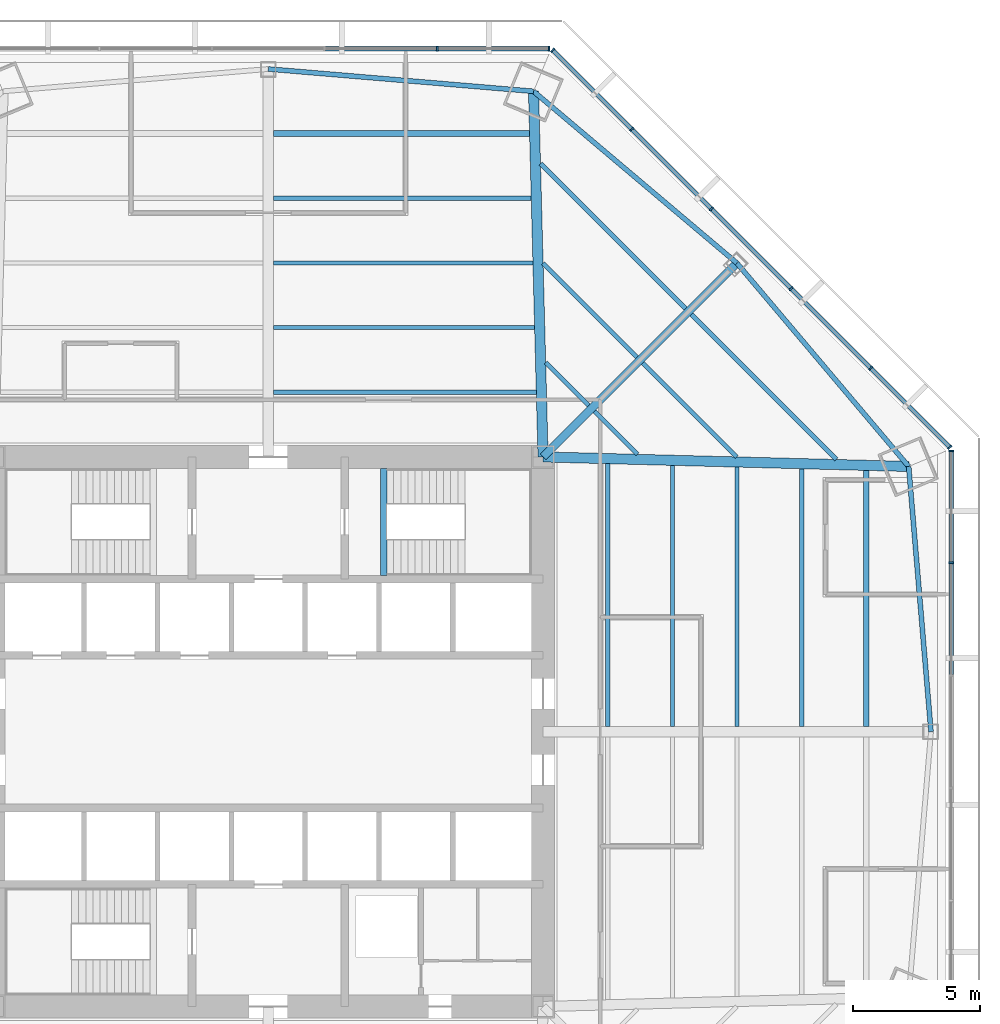
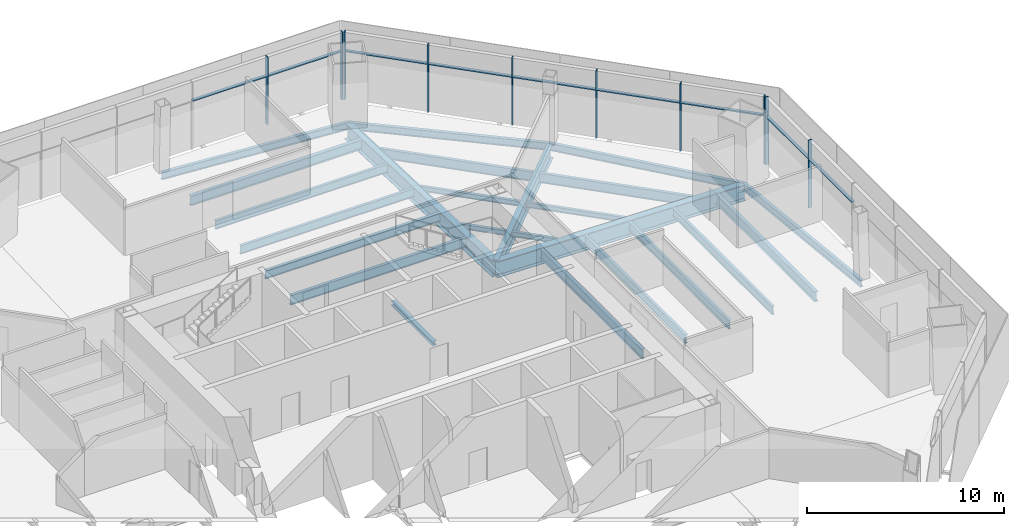
# One storey, part 5 of 14: 24 beams, 19 members, 3 elements without a shape of their own.
"""IFC4 building model written with IfcOpenShell, lengths in metres."""

import ifcopenshell
import ifcopenshell.guid

model = None  # the IFC model being written
_history = None  # IfcOwnerHistory: only IFC2X3 demands one
_inside = {}  # id of a spatial element -> (the spatial element, [elements in it])
_under = {}  # id of a project, library or spatial element -> (it, [spatial elements below it])
_declared = {}  # id of a project -> (the project, [libraries it declares])
_typed = {}  # id of a type object -> (the type object, [elements of that type])
_made_of = {}  # id of a material, layer set ... -> (it, [elements and type objects made of it])


def new_model(schema):
    """Start an empty IFC model of exactly this schema.

    Asked for "IFC4X3", IfcOpenShell would pick the latest addendum, in which some entities
    have other attributes; the version numbers below select the first issue.
    IFC2X3 requires an IfcOwnerHistory on every rooted entity: one is made here for all.
    """
    global model, _history
    if schema == "IFC4X3":
        model = ifcopenshell.file(schema_version=(4, 3, 0, 0))
    else:
        model = ifcopenshell.file(schema=schema)
    _inside.clear()
    _under.clear()
    _declared.clear()
    _typed.clear()
    _made_of.clear()
    _history = None
    if model.schema == "IFC2X3":
        org = make("IfcOrganization", Name="unknown")
        user = make(
            "IfcPersonAndOrganization",
            ThePerson=make("IfcPerson", FamilyName="unknown"),
            TheOrganization=org,
        )
        app = make(
            "IfcApplication",
            ApplicationDeveloper=org,
            Version="unknown",
            ApplicationFullName="unknown",
            ApplicationIdentifier="unknown",
        )
        _history = make(
            "IfcOwnerHistory",
            OwningUser=user,
            OwningApplication=app,
            ChangeAction="ADDED",
            CreationDate=0,
        )
    return model


def make(cls, **values):
    """One entity of the class cls with the attributes given. An attribute that is None is left unset."""
    return model.create_entity(
        cls, **{name: value for name, value in values.items() if value is not None}
    )


def rooted(cls, **values):
    """An entity with a GlobalId (a new one), such as an element, a storey or a relation."""
    return make(cls, GlobalId=ifcopenshell.guid.new(), OwnerHistory=_history, **values)


def si_unit(unit_type, name, prefix=None):
    """IfcSIUnit, for example si_unit("LENGTHUNIT", "METRE", prefix="MILLI")."""
    return make("IfcSIUnit", UnitType=unit_type, Prefix=prefix, Name=name)


def assignment(units):
    """IfcUnitAssignment: the units of a project."""
    return None if units is None else make("IfcUnitAssignment", Units=units)


def point(xyz):
    """IfcCartesianPoint."""
    return None if xyz is None else make("IfcCartesianPoint", Coordinates=xyz)


def direction(xyz):
    """IfcDirection."""
    return None if xyz is None else make("IfcDirection", DirectionRatios=xyz)


def frame(location, z_axis=None, x_axis=None):
    """IfcAxis2Placement3D, a coordinate frame: its origin and axes. An axis left out is left unset."""
    return make(
        "IfcAxis2Placement3D",
        Location=point(location),
        Axis=direction(z_axis),
        RefDirection=direction(x_axis),
    )


def frame_2d(location, x_axis=None):
    """IfcAxis2Placement2D, a coordinate frame in the plane: its origin and x axis."""
    return make(
        "IfcAxis2Placement2D", Location=point(location), RefDirection=direction(x_axis)
    )


def origin():
    """The frame at (0, 0, 0) with its axes left unset."""
    return frame((0.0, 0.0, 0.0))


def origin_2d():
    """The frame at (0, 0) in the plane with its x axis left unset."""
    return frame_2d((0.0, 0.0))


def place(relative_to, where):
    """IfcLocalPlacement: puts the frame where relative to a parent placement (None: the world)."""
    return make(
        "IfcLocalPlacement", PlacementRelTo=relative_to, RelativePlacement=where
    )


def context(
    kind, dimensions, precision=None, world=None, true_north=None, identifier=None
):
    """IfcGeometricRepresentationContext, for example the 3D "Model" context."""
    return make(
        "IfcGeometricRepresentationContext",
        ContextIdentifier=identifier,
        ContextType=kind,
        CoordinateSpaceDimension=dimensions,
        Precision=precision,
        WorldCoordinateSystem=world,
        TrueNorth=true_north,
    )


def subcontext(parent, identifier, kind, view, scale=None):
    """IfcGeometricRepresentationSubContext, for example "Body" below "Model"."""
    return make(
        "IfcGeometricRepresentationSubContext",
        ContextIdentifier=identifier,
        ContextType=kind,
        ParentContext=parent,
        TargetScale=scale,
        TargetView=view,
    )


def project(units=None, contexts=None):
    """IfcProject with its units and contexts."""
    return rooted(
        "IfcProject",
        Name="project",
        RepresentationContexts=contexts,
        UnitsInContext=assignment(units),
    )


def spatial(cls, under=None, at=None, **own):
    """A site, building, storey or space (cls), placed at a placement, below another one or the project."""
    s = rooted(cls, ObjectPlacement=at, **own)
    if under is not None:
        _under.setdefault(under.id(), (under, []))[1].append(s)
    return s


def profile(cls, at=None, kind="AREA", **sizes):
    """A parametric profile (cls). Its sizes go by their IFC names, for example OverallWidth=200.0."""
    return make(cls, ProfileType=kind, Position=at, **sizes)


def rectangle(**sizes):
    """IfcRectangleProfileDef."""
    return profile("IfcRectangleProfileDef", **sizes)


def i_section(**sizes):
    """IfcIShapeProfileDef."""
    return profile("IfcIShapeProfileDef", **sizes)


def extrude(swept, where, along, depth):
    """IfcExtrudedAreaSolid: the profile swept, set in the frame where, extruded along a direction by depth."""
    return make(
        "IfcExtrudedAreaSolid",
        SweptArea=swept,
        Position=where,
        ExtrudedDirection=direction(along),
        Depth=depth,
    )


def shape(context_of_items, identifier, shape_type, items):
    """IfcShapeRepresentation: the items that make up one representation, for example the "Body"."""
    return make(
        "IfcShapeRepresentation",
        ContextOfItems=context_of_items,
        RepresentationIdentifier=identifier,
        RepresentationType=shape_type,
        Items=items,
    )


def source(mapping_origin, context_of_items, identifier, shape_type, items):
    """IfcRepresentationMap: a shape defined once, which mapped items show again and again."""
    return make(
        "IfcRepresentationMap",
        MappingOrigin=mapping_origin,
        MappedRepresentation=shape(context_of_items, identifier, shape_type, items),
    )


def transform(
    local_origin,
    x_axis=None,
    y_axis=None,
    z_axis=None,
    scale=None,
    scale2=None,
    scale3=None,
    uniform=True,
):
    """IfcCartesianTransformationOperator3D, or its non-uniform kind. x_axis, y_axis, z_axis: its Axis1, 2, 3."""
    if uniform:
        return make(
            "IfcCartesianTransformationOperator3D",
            Axis1=direction(x_axis),
            Axis2=direction(y_axis),
            LocalOrigin=point(local_origin),
            Scale=scale,
            Axis3=direction(z_axis),
        )
    return make(
        "IfcCartesianTransformationOperator3DnonUniform",
        Axis1=direction(x_axis),
        Axis2=direction(y_axis),
        LocalOrigin=point(local_origin),
        Scale=scale,
        Axis3=direction(z_axis),
        Scale2=scale2,
        Scale3=scale3,
    )


def mapped(mapping_source, mapping_target):
    """IfcMappedItem: shows the shape of a source again, moved by a transform."""
    return make(
        "IfcMappedItem", MappingSource=mapping_source, MappingTarget=mapping_target
    )


def material(Name=None, Category=None):
    """IfcMaterial."""
    return make("IfcMaterial", Name=Name, Category=Category)


def material_profile(
    of_material, cross_section, Name=None, Category=None, Priority=None
):
    """IfcMaterialProfile: a cross section and its material."""
    return make(
        "IfcMaterialProfile",
        Name=Name,
        Material=of_material,
        Profile=cross_section,
        Priority=Priority,
        Category=Category,
    )


def profile_set(profiles, Name=None, composite=None):
    """IfcMaterialProfileSet."""
    return make(
        "IfcMaterialProfileSet",
        Name=Name,
        MaterialProfiles=profiles,
        CompositeProfile=composite,
    )


def made_of(thing, what):
    """Note that an element or type object is made of a material, layer set ...; save() writes the relation."""
    if what is not None:
        _made_of.setdefault(what.id(), (what, []))[1].append(thing)
    return thing


def type_object(cls, material=None, **own):
    """A type object (cls), such as IfcWallType, which elements share."""
    return made_of(rooted(cls, **own), material)


def type_shapes(of_type, sources):
    """Give a type object the sources (RepresentationMaps) that its elements show as mapped items."""
    of_type.RepresentationMaps = sources


def element(
    cls,
    number,
    at=None,
    inside=None,
    cuts=None,
    type_object=None,
    material=None,
    context=None,
    identifier="Body",
    shape_type=None,
    held_by="IfcProductDefinitionShape",
    body=None,
    shapes=None,
    **own,
):
    """One element of the class cls, such as IfcWall. Its Tag is "e" and its number.

    at: its placement. inside: the storey or other place that contains it. cuts: it is an
    opening in that element (IfcRelVoidsElement). A single representation is given by context,
    identifier, shape_type and body (its items); several are given by shapes. held_by: the class
    of the entity that holds the representations. save() writes the other relations.
    """
    e = rooted(cls, Tag="e%d" % number, ObjectPlacement=at, **own)
    if body is not None:
        shapes = [shape(context, identifier, shape_type, body)]
    if shapes is not None:
        e.Representation = make(held_by, Representations=shapes)
    if inside is not None:
        _inside.setdefault(inside.id(), (inside, []))[1].append(e)
    if cuts is not None:
        rooted(
            "IfcRelVoidsElement", RelatingBuildingElement=cuts, RelatedOpeningElement=e
        )
    if type_object is not None:
        _typed.setdefault(type_object.id(), (type_object, []))[1].append(e)
    return made_of(e, material)


def aggregate(whole, parts):
    """IfcRelAggregates: a whole, such as a stair, and the parts it consists of."""
    return rooted("IfcRelAggregates", RelatingObject=whole, RelatedObjects=parts)


def save(model, path):
    """Write the relations noted so far, then the file.

    IfcRelAggregates (storeys below a building ...), IfcRelContainedInSpatialStructure (elements
    in a storey), IfcRelDefinesByType, IfcRelAssociatesMaterial and IfcRelDeclares: one each for
    every whole, place, type object, material and project.
    """
    for whole, parts in _under.values():
        aggregate(whole, parts)
    for where, things in _inside.values():
        rooted(
            "IfcRelContainedInSpatialStructure",
            RelatedElements=things,
            RelatingStructure=where,
        )
    for kind, things in _typed.values():
        rooted("IfcRelDefinesByType", RelatedObjects=things, RelatingType=kind)
    for what, things in _made_of.values():
        rooted("IfcRelAssociatesMaterial", RelatedObjects=things, RelatingMaterial=what)
    for by, libraries in _declared.values():
        rooted("IfcRelDeclares", RelatingContext=by, RelatedDefinitions=libraries)
    model.write(path)


model = new_model("IFC4")

# Units and contexts
model_context = context("Model", 3, precision=1e-05, world=origin(), true_north=direction((0.0, 1.0)))
body_context = subcontext(model_context, "Body", "Model", "MODEL_VIEW")
ifc_project = project(units=[si_unit("LENGTHUNIT", "METRE"), si_unit("AREAUNIT", "SQUARE_METRE"), si_unit("VOLUMEUNIT", "CUBIC_METRE"), si_unit("PLANEANGLEUNIT", "RADIAN"), si_unit("MASSUNIT", "GRAM", prefix="KILO")], contexts=[model_context])

# Site, building, storey
site_placement = place(None, origin())
site = spatial("IfcSite", under=ifc_project, at=site_placement, CompositionType="ELEMENT")
building_placement = place(site_placement, origin())
building = spatial("IfcBuilding", under=site, at=building_placement, Name="Mashrafa Tower", CompositionType="ELEMENT")
storey_placement = place(building_placement, frame((0.0, 0.0, 41.39990234375)))
storey = spatial("IfcBuildingStorey", under=building, at=storey_placement, Name="L08", CompositionType="ELEMENT", Elevation=41.39990234375)

# Beams
ifc_material_1 = material(Name="Steel ASTM A992", Category="steel")
ifc_material_profile_1 = material_profile(ifc_material_1, i_section(OverallWidth=0.164794921875, OverallDepth=0.309814453125, WebThickness=0.005859375, FlangeThickness=0.009765625, FilletRadius=0.007568359375, at=origin_2d()), Name="W12X26")
ifc_profile_set_1 = profile_set([ifc_material_profile_1], Name="Steel ASTM A992")
beam_type_1 = type_object("IfcBeamType", Name="Beam W12X26", PredefinedType="BEAM", material=ifc_profile_set_1)
beam_1_placement = place(storey_placement, frame((10.802490234375, 18.41650390625, -0.31982421875), z_axis=(0.707106781187, -0.707106781187, 0.0), x_axis=(0.707106781187, 0.707106781187, 0.0)))
element("IfcBeam", 1, at=beam_1_placement, inside=storey, type_object=beam_type_1, Name="Floor beam L08 041", PredefinedType="BEAM", context=body_context, shape_type="SweptSolid", body=[
    extrude(i_section(OverallWidth=0.164794921875, OverallDepth=0.309814453125, WebThickness=0.005859375, FlangeThickness=0.009765625, FilletRadius=0.007568359375, at=origin_2d()), origin(), (0.0, 0.0, 1.0), 5.230224609375),
])
for number, where, z_axis, x_axis, name in (
    (2, (10.904296875, 14.505126953125, -0.31982421875), (0.707106781187, -0.707106781187, 0.0), (0.707106781187, 0.707106781187, 0.0), "Floor beam L08 044"),
    (3, (12.8134765625, 12.595947265625, -0.31982421875), (0.707106781187, -0.707106781187, 0.0), (0.707106781187, 0.707106781187, 0.0), "Floor beam L08 047"),
):
    element("IfcBeam", number, at=place(storey_placement, frame(where, z_axis=z_axis, x_axis=x_axis)), inside=storey, type_object=beam_type_1, Name=name, PredefinedType="BEAM", context=body_context, shape_type="SweptSolid", body=[
        extrude(i_section(OverallWidth=0.164794921875, OverallDepth=0.309814453125, WebThickness=0.005859375, FlangeThickness=0.009765625, FilletRadius=0.007568359375, at=origin_2d()), origin(), (0.0, 0.0, 1.0), 2.392333984375),
    ])
beam_2_placement = place(storey_placement, frame((14.71826171875, 14.500732421875, -0.31982421875), z_axis=(0.707106781187, -0.707106781187, 0.0), x_axis=(0.707106781187, 0.707106781187, 0.0)))
element("IfcBeam", 4, at=beam_2_placement, inside=storey, type_object=beam_type_1, Name="Floor beam L08 051", PredefinedType="BEAM", context=body_context, shape_type="SweptSolid", body=[
    extrude(i_section(OverallWidth=0.164794921875, OverallDepth=0.309814453125, WebThickness=0.005859375, FlangeThickness=0.009765625, FilletRadius=0.007568359375, at=origin_2d()), origin(), (0.0, 0.0, 1.0), 5.230224609375),
])
ifc_material_2 = material(Name="Steel ASTM A992", Category="steel")
ifc_material_profile_2 = material_profile(ifc_material_2, i_section(OverallWidth=0.191162109375, OverallDepth=0.459716796875, WebThickness=0.010009765625, FlangeThickness=0.01611328125, FilletRadius=0.01025390625, at=origin_2d()), Name="W18X55")
ifc_profile_set_2 = profile_set([ifc_material_profile_2], Name="Steel ASTM A992")
beam_type_2 = type_object("IfcBeamType", Name="Beam W18X55", PredefinedType="BEAM", material=ifc_profile_set_2)
for number, where, z_axis, x_axis, name in (
    (5, (10.42578125, 25.169921875, -0.394775390625), (-0.996471336018, 0.083933762543, 0.0), (-0.083933762543, -0.996471336018, 0.0), "Spandrel beam L08 091"),
    (6, (18.4189453125, 18.4189453125, -0.394775390625), (-0.763973678592, 0.645247408688, 0.0), (-0.645247408688, -0.763973678592, 0.0), "Spandrel beam L08 093"),
    (7, (25.169921875, 10.42578125, -0.394775390625), (-0.645247408688, 0.763973678592, 0.0), (-0.763973678592, -0.645247408688, 0.0), "Spandrel beam L08 095"),
    (8, (26.048095703125, 0.0, -0.394775390625), (-0.083933762543, 0.996471336018, 0.0), (-0.996471336018, -0.083933762543, 0.0), "Spandrel beam L08 096"),
):
    element("IfcBeam", number, at=place(storey_placement, frame(where, z_axis=z_axis, x_axis=x_axis)), inside=storey, type_object=beam_type_2, Name=name, PredefinedType="BEAM", context=body_context, shape_type="SweptSolid", body=[
        extrude(i_section(OverallWidth=0.191162109375, OverallDepth=0.459716796875, WebThickness=0.010009765625, FlangeThickness=0.01611328125, FilletRadius=0.01025390625, at=origin_2d()), origin(), (0.0, 0.0, 1.0), 10.462646484375),
    ])
ifc_material_3 = material(Name="Steel ASTM A992", Category="steel")
ifc_material_profile_3 = material_profile(ifc_material_3, i_section(OverallWidth=0.165771484375, OverallDepth=0.5283203125, WebThickness=0.009765625, FlangeThickness=0.013671875, FilletRadius=0.012939453125, at=origin_2d()), Name="W21X50")
ifc_profile_set_3 = profile_set([ifc_material_profile_3], Name="Steel ASTM A992")
beam_type_3 = type_object("IfcBeamType", Name="Beam W21X50", PredefinedType="BEAM", material=ifc_profile_set_3)
beam_3_placement = place(storey_placement, frame((0.20458984375, 15.8828125, -0.428955078125), z_axis=(1.0, 0.0, 0.0), x_axis=(0.0, 1.0, 0.0)))
element("IfcBeam", 9, at=beam_3_placement, inside=storey, type_object=beam_type_3, Name="Floor beam L08 034", PredefinedType="BEAM", context=body_context, shape_type="SweptSolid", body=[
    extrude(i_section(OverallWidth=0.165771484375, OverallDepth=0.5283203125, WebThickness=0.009765625, FlangeThickness=0.013671875, FilletRadius=0.012939453125, at=origin_2d()), origin(), (0.0, 0.0, 1.0), 10.26220703125),
])
beam_4_placement = place(storey_placement, frame((0.20458984375, 18.424072265625, -0.428955078125), z_axis=(1.0, 0.0, 0.0), x_axis=(0.0, 1.0, 0.0)))
element("IfcBeam", 10, at=beam_4_placement, inside=storey, type_object=beam_type_3, Name="Floor beam L08 035", PredefinedType="BEAM", context=body_context, shape_type="SweptSolid", body=[
    extrude(i_section(OverallWidth=0.165771484375, OverallDepth=0.5283203125, WebThickness=0.009765625, FlangeThickness=0.013671875, FilletRadius=0.012939453125, at=origin_2d()), origin(), (0.0, 0.0, 1.0), 10.1962890625),
])
beam_5_placement = place(storey_placement, frame((0.20458984375, 20.965576171875, -0.428955078125), z_axis=(1.0, 0.0, 0.0), x_axis=(0.0, 1.0, 0.0)))
element("IfcBeam", 11, at=beam_5_placement, inside=storey, type_object=beam_type_3, Name="Floor beam L08 036", PredefinedType="BEAM", context=body_context, shape_type="SweptSolid", body=[
    extrude(i_section(OverallWidth=0.165771484375, OverallDepth=0.5283203125, WebThickness=0.009765625, FlangeThickness=0.013671875, FilletRadius=0.012939453125, at=origin_2d()), origin(), (0.0, 0.0, 1.0), 10.130126953125),
])
beam_6_placement = place(storey_placement, frame((15.8828125, 10.466796875, -0.428955078125), z_axis=(0.0, -1.0, 0.0), x_axis=(1.0, 0.0, 0.0)))
element("IfcBeam", 12, at=beam_6_placement, inside=storey, type_object=beam_type_3, Name="Floor beam L08 054", PredefinedType="BEAM", context=body_context, shape_type="SweptSolid", body=[
    extrude(i_section(OverallWidth=0.165771484375, OverallDepth=0.5283203125, WebThickness=0.009765625, FlangeThickness=0.013671875, FilletRadius=0.012939453125, at=origin_2d()), origin(), (0.0, 0.0, 1.0), 10.26220703125),
])
beam_7_placement = place(storey_placement, frame((18.424072265625, 10.40087890625, -0.428955078125), z_axis=(0.0, -1.0, 0.0), x_axis=(1.0, 0.0, 0.0)))
element("IfcBeam", 13, at=beam_7_placement, inside=storey, type_object=beam_type_3, Name="Floor beam L08 058", PredefinedType="BEAM", context=body_context, shape_type="SweptSolid", body=[
    extrude(i_section(OverallWidth=0.165771484375, OverallDepth=0.5283203125, WebThickness=0.009765625, FlangeThickness=0.013671875, FilletRadius=0.012939453125, at=origin_2d()), origin(), (0.0, 0.0, 1.0), 10.1962890625),
])
beam_8_placement = place(storey_placement, frame((20.965576171875, 10.334716796875, -0.428955078125), z_axis=(0.0, -1.0, 0.0), x_axis=(1.0, 0.0, 0.0)))
element("IfcBeam", 14, at=beam_8_placement, inside=storey, type_object=beam_type_3, Name="Floor beam L08 061", PredefinedType="BEAM", context=body_context, shape_type="SweptSolid", body=[
    extrude(i_section(OverallWidth=0.165771484375, OverallDepth=0.5283203125, WebThickness=0.009765625, FlangeThickness=0.013671875, FilletRadius=0.012939453125, at=origin_2d()), origin(), (0.0, 0.0, 1.0), 10.130126953125),
])
ifc_material_4 = material(Name="Steel ASTM A992", Category="steel")
ifc_material_profile_4 = material_profile(ifc_material_4, i_section(OverallWidth=0.177978515625, OverallDepth=0.599365234375, WebThickness=0.010009765625, FlangeThickness=0.012939453125, FilletRadius=0.012939453125, at=origin_2d()), Name="W24X55")
ifc_profile_set_4 = profile_set([ifc_material_profile_4], Name="Steel ASTM A992")
beam_type_4 = type_object("IfcBeamType", Name="Beam W24X55", PredefinedType="BEAM", material=ifc_profile_set_4)
beam_9_placement = place(storey_placement, frame((0.20458984375, 13.34130859375, -0.464599609375), z_axis=(1.0, 0.0, 0.0), x_axis=(0.0, 1.0, 0.0)))
element("IfcBeam", 15, at=beam_9_placement, inside=storey, type_object=beam_type_4, Name="Floor beam L08 033", PredefinedType="BEAM", context=body_context, shape_type="SweptSolid", body=[
    extrude(i_section(OverallWidth=0.177978515625, OverallDepth=0.599365234375, WebThickness=0.010009765625, FlangeThickness=0.012939453125, FilletRadius=0.012939453125, at=origin_2d()), origin(), (0.0, 0.0, 1.0), 10.32861328125),
])
beam_10_placement = place(storey_placement, frame((10.700439453125, 22.327880859375, -0.464599609375), z_axis=(0.707106781187, -0.707106781187, 0.0), x_axis=(0.707106781187, 0.707106781187, 0.0)))
element("IfcBeam", 16, at=beam_10_placement, inside=storey, type_object=beam_type_4, Name="Floor beam L08 039", PredefinedType="BEAM", context=body_context, shape_type="SweptSolid", body=[
    extrude(i_section(OverallWidth=0.177978515625, OverallDepth=0.599365234375, WebThickness=0.010009765625, FlangeThickness=0.012939453125, FilletRadius=0.012939453125, at=origin_2d()), origin(), (0.0, 0.0, 1.0), 8.068115234375),
])
beam_11_placement = place(storey_placement, frame((13.34130859375, 10.533203125, -0.464599609375), z_axis=(0.0, -1.0, 0.0), x_axis=(1.0, 0.0, 0.0)))
element("IfcBeam", 17, at=beam_11_placement, inside=storey, type_object=beam_type_4, Name="Floor beam L08 049", PredefinedType="BEAM", context=body_context, shape_type="SweptSolid", body=[
    extrude(i_section(OverallWidth=0.177978515625, OverallDepth=0.599365234375, WebThickness=0.010009765625, FlangeThickness=0.012939453125, FilletRadius=0.012939453125, at=origin_2d()), origin(), (0.0, 0.0, 1.0), 10.32861328125),
])
beam_12_placement = place(storey_placement, frame((16.622802734375, 16.405517578125, -0.464599609375), z_axis=(0.707106781187, -0.707106781187, 0.0), x_axis=(0.707106781187, 0.707106781187, 0.0)))
element("IfcBeam", 18, at=beam_12_placement, inside=storey, type_object=beam_type_4, Name="Floor beam L08 056", PredefinedType="BEAM", context=body_context, shape_type="SweptSolid", body=[
    extrude(i_section(OverallWidth=0.177978515625, OverallDepth=0.599365234375, WebThickness=0.010009765625, FlangeThickness=0.012939453125, FilletRadius=0.012939453125, at=origin_2d()), origin(), (0.0, 0.0, 1.0), 8.068115234375),
])
ifc_material_5 = material(Name="Steel ASTM A992", Category="steel")
ifc_material_profile_5 = material_profile(ifc_material_5, i_section(OverallWidth=0.227783203125, OverallDepth=0.60205078125, WebThickness=0.010498046875, FlangeThickness=0.014892578125, FilletRadius=0.012939453125, at=origin_2d()), Name="W24X68")
ifc_profile_set_5 = profile_set([ifc_material_profile_5], Name="Steel ASTM A992")
beam_type_5 = type_object("IfcBeamType", Name="Beam W24X68", PredefinedType="BEAM", material=ifc_profile_set_5)
for number, where, z_axis, x_axis, name in (
    (19, (0.20458984375, 23.5068359375, -0.4658203125), (1.0, 0.0, 0.0), (0.0, 1.0, 0.0), "Floor beam L08 037"),
    (20, (23.5068359375, 10.268310546875, -0.4658203125), (0.0, -1.0, 0.0), (1.0, 0.0, 0.0), "Floor beam L08 064"),
):
    element("IfcBeam", number, at=place(storey_placement, frame(where, z_axis=z_axis, x_axis=x_axis)), inside=storey, type_object=beam_type_5, Name=name, PredefinedType="BEAM", context=body_context, shape_type="SweptSolid", body=[
        extrude(i_section(OverallWidth=0.227783203125, OverallDepth=0.60205078125, WebThickness=0.010498046875, FlangeThickness=0.014892578125, FilletRadius=0.012939453125, at=origin_2d()), origin(), (0.0, 0.0, 1.0), 10.063720703125),
    ])
ifc_material_6 = material(Name="Steel ASTM A992", Category="steel")
ifc_material_profile_6 = material_profile(ifc_material_6, i_section(OverallWidth=0.307373046875, OverallDepth=0.927001953125, WebThickness=0.01953125, FlangeThickness=0.031982421875, FilletRadius=0.01904296875, at=origin_2d()), Name="W36X194")
ifc_profile_set_6 = profile_set([ifc_material_profile_6], Name="Steel ASTM A992")
beam_type_6 = type_object("IfcBeamType", Name="Beam W36X194", PredefinedType="BEAM", material=ifc_profile_set_6)
beam_13_placement = place(storey_placement, frame((10.800048828125, 10.800048828125, -0.62841796875), z_axis=(0.707106781187, 0.707106781187, 0.0), x_axis=(-0.707106781187, 0.707106781187, 0.0)))
element("IfcBeam", 21, at=beam_13_placement, inside=storey, type_object=beam_type_6, Name="Radial girder L08 079", PredefinedType="BEAM", context=body_context, shape_type="SweptSolid", body=[
    extrude(i_section(OverallWidth=0.307373046875, OverallDepth=0.927001953125, WebThickness=0.01953125, FlangeThickness=0.031982421875, FilletRadius=0.01904296875, at=origin_2d()), origin(), (0.0, 0.0, 1.0), 10.774658203125),
])
ifc_material_7 = material(Name="Steel ASTM A992", Category="steel")
ifc_material_profile_7 = material_profile(ifc_material_7, i_section(OverallWidth=0.4013671875, OverallDepth=1.010986328125, WebThickness=0.023681640625, FlangeThickness=0.0419921875, FilletRadius=0.02001953125, at=origin_2d()), Name="W40X297")
ifc_profile_set_7 = profile_set([ifc_material_profile_7], Name="Steel ASTM A992")
beam_type_7 = type_object("IfcBeamType", Name="Beam W40X297", PredefinedType="BEAM", material=ifc_profile_set_7)
for number, where, z_axis, x_axis, name in (
    (22, (10.800048828125, 10.800048828125, -0.67041015625), (-0.02603646517, 0.999660993778, 0.0), (-0.999660993778, -0.02603646517, 0.0), "Radial girder L08 078"),
    (23, (10.800048828125, 10.800048828125, -0.67041015625), (0.999660993778, -0.02603646517, 0.0), (0.02603646517, 0.999660993778, 0.0), "Radial girder L08 080"),
):
    element("IfcBeam", number, at=place(storey_placement, frame(where, z_axis=z_axis, x_axis=x_axis)), inside=storey, type_object=beam_type_7, Name=name, PredefinedType="BEAM", context=body_context, shape_type="SweptSolid", body=[
        extrude(i_section(OverallWidth=0.4013671875, OverallDepth=1.010986328125, WebThickness=0.023681640625, FlangeThickness=0.0419921875, FilletRadius=0.02001953125, at=origin_2d()), origin(), (0.0, 0.0, 1.0), 14.374755859375),
    ])
ifc_material_8 = material(Name="Steel ASTM A992", Category="steel")
ifc_material_profile_8 = material_profile(ifc_material_8, i_section(OverallWidth=0.25390625, OverallDepth=0.25390625, WebThickness=0.008544921875, FlangeThickness=0.01416015625, FilletRadius=0.010009765625, at=origin_2d()), Name="W10X49")
ifc_profile_set_8 = profile_set([ifc_material_profile_8], Name="Steel ASTM A992")
beam_type_8 = type_object("IfcBeamType", Name="Hoistway beam W10X49", PredefinedType="BEAM", material=ifc_profile_set_8)
beam_14_placement = place(storey_placement, frame((4.530029296875, 6.14990234375, -0.326904296875), z_axis=(0.0, 1.0, 0.0), x_axis=(-1.0, 0.0, 0.0)))
element("IfcBeam", 24, at=beam_14_placement, inside=storey, type_object=beam_type_8, Name="Stair S2 landing beam L08", PredefinedType="BEAM", context=body_context, shape_type="SweptSolid", body=[
    extrude(i_section(OverallWidth=0.25390625, OverallDepth=0.25390625, WebThickness=0.008544921875, FlangeThickness=0.01416015625, FilletRadius=0.010009765625, at=origin_2d()), origin(), (0.0, 0.0, 1.0), 4.2001953125),
])

# Curtain wall, members
ifc_material_9 = material(Name="Unitised aluminium curtain wall", Category="aluminium")
curtain_wall_type = type_object("IfcCurtainWallType", Name="Office curtain wall, zone 1 CW-A 200 deep", PredefinedType="NOTDEFINED", material=ifc_material_9)
curtain_wall_1_placement = place(storey_placement, origin())
curtain_wall_1 = element("IfcCurtainWall", 25, at=curtain_wall_1_placement, inside=storey, type_object=curtain_wall_type, Name="Office curtain wall, zone 1 L08 east", PredefinedType="NOTDEFINED")
ifc_material_10 = material(Name="Extruded aluminium mullion", Category="aluminium")
ifc_material_profile_9 = material_profile(ifc_material_10, rectangle(XDim=0.199951171875, YDim=0.06494140625, at=origin_2d()), Name="Mullion 65x200")
ifc_profile_set_9 = profile_set([ifc_material_profile_9], Name="Extruded aluminium mullion")
member_type_1 = type_object("IfcMemberType", Name="Mullion CW-A 65 x 200", PredefinedType="MULLION", material=ifc_profile_set_9)
shared_shape_1 = source(origin(), body_context, "Body", "SweptSolid", [
    extrude(rectangle(XDim=0.199951171875, YDim=0.06494140625, at=origin_2d()), origin(), (0.0, 0.0, 1.0), 4.2001953125),
])
type_shapes(member_type_1, [shared_shape_1])
member_1_placement = place(storey_placement, frame((26.843505859375, 6.640625, 0.0), z_axis=(0.0, 0.0, 1.0), x_axis=(-1.0, 0.0, 0.0)))
member_1 = element("IfcMember", 26, at=member_1_placement, type_object=member_type_1, Name="CW-A mullion 5", PredefinedType="MULLION", context=body_context, shape_type="MappedRepresentation", body=[
    mapped(shared_shape_1, transform((0.0, 0.0, 0.0))),
])
member_2_placement = place(storey_placement, frame((26.843505859375, 11.03515625, 0.0), z_axis=(0.0, 0.0, 1.0), x_axis=(-1.0, 0.0, 0.0)))
member_2 = element("IfcMember", 27, at=member_2_placement, type_object=member_type_1, Name="CW-A mullion 6", PredefinedType="MULLION", context=body_context, shape_type="MappedRepresentation", body=[
    mapped(shared_shape_1, transform((0.0, 0.0, 0.0))),
])

curtain_wall_2_placement = place(storey_placement, origin())
curtain_wall_2 = element("IfcCurtainWall", 28, at=curtain_wall_2_placement, inside=storey, type_object=curtain_wall_type, Name="Office curtain wall, zone 1 L08 north-east", PredefinedType="NOTDEFINED")
member_3_placement = place(storey_placement, frame((26.7841796875, 11.17822265625, 0.0), z_axis=(0.0, 0.0, 1.0), x_axis=(-0.707106781187, -0.707106781187, 0.0)))
member_3 = element("IfcMember", 29, at=member_3_placement, type_object=member_type_1, Name="CW-A mullion 1", PredefinedType="MULLION", context=body_context, shape_type="MappedRepresentation", body=[
    mapped(shared_shape_1, transform((0.0, 0.0, 0.0))),
])
member_4_placement = place(storey_placement, frame((23.6767578125, 14.28564453125, 0.0), z_axis=(0.0, 0.0, 1.0), x_axis=(-0.707106781187, -0.707106781187, 0.0)))
member_4 = element("IfcMember", 30, at=member_4_placement, type_object=member_type_1, Name="CW-A mullion 2", PredefinedType="MULLION", context=body_context, shape_type="MappedRepresentation", body=[
    mapped(shared_shape_1, transform((0.0, 0.0, 0.0))),
])
member_5_placement = place(storey_placement, frame((20.54638671875, 17.416015625, 0.0), z_axis=(0.0, 0.0, 1.0), x_axis=(-0.707106781187, -0.707106781187, 0.0)))
member_5 = element("IfcMember", 31, at=member_5_placement, type_object=member_type_1, Name="CW-A mullion 3", PredefinedType="MULLION", context=body_context, shape_type="MappedRepresentation", body=[
    mapped(shared_shape_1, transform((0.0, 0.0, 0.0))),
])
member_6_placement = place(storey_placement, frame((17.416015625, 20.54638671875, 0.0), z_axis=(0.0, 0.0, 1.0), x_axis=(-0.707106781187, -0.707106781187, 0.0)))
member_6 = element("IfcMember", 32, at=member_6_placement, type_object=member_type_1, Name="CW-A mullion 4", PredefinedType="MULLION", context=body_context, shape_type="MappedRepresentation", body=[
    mapped(shared_shape_1, transform((0.0, 0.0, 0.0))),
])
member_7_placement = place(storey_placement, frame((14.28564453125, 23.6767578125, 0.0), z_axis=(0.0, 0.0, 1.0), x_axis=(-0.707106781187, -0.707106781187, 0.0)))
member_7 = element("IfcMember", 33, at=member_7_placement, type_object=member_type_1, Name="CW-A mullion 5", PredefinedType="MULLION", context=body_context, shape_type="MappedRepresentation", body=[
    mapped(shared_shape_1, transform((0.0, 0.0, 0.0))),
])
member_8_placement = place(storey_placement, frame((11.17822265625, 26.7841796875, 0.0), z_axis=(0.0, 0.0, 1.0), x_axis=(-0.707106781187, -0.707106781187, 0.0)))
member_8 = element("IfcMember", 34, at=member_8_placement, type_object=member_type_1, Name="CW-A mullion 6", PredefinedType="MULLION", context=body_context, shape_type="MappedRepresentation", body=[
    mapped(shared_shape_1, transform((0.0, 0.0, 0.0))),
])

curtain_wall_3_placement = place(storey_placement, origin())
curtain_wall_3 = element("IfcCurtainWall", 35, at=curtain_wall_3_placement, inside=storey, type_object=curtain_wall_type, Name="Office curtain wall, zone 1 L08 north", PredefinedType="NOTDEFINED")
member_9_placement = place(storey_placement, frame((11.03515625, 26.843505859375, 0.0), z_axis=(0.0, 0.0, 1.0), x_axis=(0.0, -1.0, 0.0)))
member_9 = element("IfcMember", 36, at=member_9_placement, type_object=member_type_1, Name="CW-A mullion 1", PredefinedType="MULLION", context=body_context, shape_type="MappedRepresentation", body=[
    mapped(shared_shape_1, transform((0.0, 0.0, 0.0))),
])
member_10_placement = place(storey_placement, frame((6.640625, 26.843505859375, 0.0), z_axis=(0.0, 0.0, 1.0), x_axis=(0.0, -1.0, 0.0)))
member_10 = element("IfcMember", 37, at=member_10_placement, type_object=member_type_1, Name="CW-A mullion 2", PredefinedType="MULLION", context=body_context, shape_type="MappedRepresentation", body=[
    mapped(shared_shape_1, transform((0.0, 0.0, 0.0))),
])

# Member
ifc_material_11 = material(Name="Extruded aluminium transom", Category="aluminium")
ifc_material_profile_10 = material_profile(ifc_material_11, rectangle(XDim=0.159912109375, YDim=0.080078125, at=origin_2d()), Name="Transom 80x160")
ifc_profile_set_10 = profile_set([ifc_material_profile_10], Name="Extruded aluminium transom")
member_type_2 = type_object("IfcMemberType", Name="Transom CW-A 80 x 160", PredefinedType="MULLION", material=ifc_profile_set_10)
shared_shape_2 = source(origin(), body_context, "Body", "SweptSolid", [
    extrude(rectangle(XDim=0.159912109375, YDim=0.080078125, at=origin_2d()), origin(), (0.0, 0.0, 1.0), 4.329345703125),
])
member_11_placement = place(storey_placement, frame((26.843505859375, 6.673095703125, 3.0), z_axis=(0.0, 1.0, 0.0), x_axis=(-1.0, 0.0, 0.0)))
member_11 = element("IfcMember", 38, at=member_11_placement, type_object=member_type_2, Name="CW-A transom 5", PredefinedType="MULLION", context=body_context, shape_type="MappedRepresentation", body=[
    mapped(shared_shape_2, transform((0.0, 0.0, 0.0))),
])

member_12_placement = place(storey_placement, frame((11.00244140625, 26.843505859375, 3.0), z_axis=(-1.0, 0.0, 0.0), x_axis=(0.0, -1.0, 0.0)))
member_12 = element("IfcMember", 39, at=member_12_placement, type_object=member_type_2, Name="CW-A transom 1", PredefinedType="MULLION", context=body_context, shape_type="MappedRepresentation", body=[
    mapped(shared_shape_2, transform((0.0, 0.0, 0.0))),
])

shared_shape_3 = source(origin(), body_context, "Body", "SweptSolid", [
    extrude(rectangle(XDim=0.159912109375, YDim=0.080078125, at=origin_2d()), origin(), (0.0, 0.0, 1.0), 4.36181640625),
])
member_13_placement = place(storey_placement, frame((26.843505859375, 2.24609375, 3.0), z_axis=(0.0, 1.0, 0.0), x_axis=(-1.0, 0.0, 0.0)))
member_13 = element("IfcMember", 40, at=member_13_placement, type_object=member_type_2, Name="CW-A transom 4", PredefinedType="MULLION", context=body_context, shape_type="MappedRepresentation", body=[
    mapped(shared_shape_3, transform((0.0, 0.0, 0.0))),
])

aggregate(curtain_wall_1, [member_1, member_2, member_13, member_11])

member_14_placement = place(storey_placement, frame((6.60791015625, 26.843505859375, 3.0), z_axis=(-1.0, 0.0, 0.0), x_axis=(0.0, -1.0, 0.0)))
member_14 = element("IfcMember", 41, at=member_14_placement, type_object=member_type_2, Name="CW-A transom 2", PredefinedType="MULLION", context=body_context, shape_type="MappedRepresentation", body=[
    mapped(shared_shape_3, transform((0.0, 0.0, 0.0))),
])

aggregate(curtain_wall_3, [member_9, member_10, member_12, member_14])

shared_shape_4 = source(origin(), body_context, "Body", "SweptSolid", [
    extrude(rectangle(XDim=0.159912109375, YDim=0.080078125, at=origin_2d()), origin(), (0.0, 0.0, 1.0), 4.32958984375),
])
member_15_placement = place(storey_placement, frame((26.76123046875, 11.201171875, 3.0), z_axis=(-0.707106781187, 0.707106781187, 0.0), x_axis=(-0.707106781187, -0.707106781187, 0.0)))
member_15 = element("IfcMember", 42, at=member_15_placement, type_object=member_type_2, Name="CW-A transom 1", PredefinedType="MULLION", context=body_context, shape_type="MappedRepresentation", body=[
    mapped(shared_shape_4, transform((0.0, 0.0, 0.0))),
])

member_16_placement = place(storey_placement, frame((14.2626953125, 23.69970703125, 3.0), z_axis=(-0.707106781187, 0.707106781187, 0.0), x_axis=(-0.707106781187, -0.707106781187, 0.0)))
member_16 = element("IfcMember", 43, at=member_16_placement, type_object=member_type_2, Name="CW-A transom 5", PredefinedType="MULLION", context=body_context, shape_type="MappedRepresentation", body=[
    mapped(shared_shape_4, transform((0.0, 0.0, 0.0))),
])

shared_shape_5 = source(origin(), body_context, "Body", "SweptSolid", [
    extrude(rectangle(XDim=0.159912109375, YDim=0.080078125, at=origin_2d()), origin(), (0.0, 0.0, 1.0), 4.362060546875),
])
type_shapes(member_type_2, [shared_shape_2, shared_shape_3, shared_shape_4, shared_shape_5])
member_17_placement = place(storey_placement, frame((23.65380859375, 14.30859375, 3.0), z_axis=(-0.707106781187, 0.707106781187, 0.0), x_axis=(-0.707106781187, -0.707106781187, 0.0)))
member_17 = element("IfcMember", 44, at=member_17_placement, type_object=member_type_2, Name="CW-A transom 2", PredefinedType="MULLION", context=body_context, shape_type="MappedRepresentation", body=[
    mapped(shared_shape_5, transform((0.0, 0.0, 0.0))),
])

member_18_placement = place(storey_placement, frame((20.5234375, 17.43896484375, 3.0), z_axis=(-0.707106781187, 0.707106781187, 0.0), x_axis=(-0.707106781187, -0.707106781187, 0.0)))
member_18 = element("IfcMember", 45, at=member_18_placement, type_object=member_type_2, Name="CW-A transom 3", PredefinedType="MULLION", context=body_context, shape_type="MappedRepresentation", body=[
    mapped(shared_shape_5, transform((0.0, 0.0, 0.0))),
])

member_19_placement = place(storey_placement, frame((17.39306640625, 20.5693359375, 3.0), z_axis=(-0.707106781187, 0.707106781187, 0.0), x_axis=(-0.707106781187, -0.707106781187, 0.0)))
member_19 = element("IfcMember", 46, at=member_19_placement, type_object=member_type_2, Name="CW-A transom 4", PredefinedType="MULLION", context=body_context, shape_type="MappedRepresentation", body=[
    mapped(shared_shape_5, transform((0.0, 0.0, 0.0))),
])

aggregate(curtain_wall_2, [member_3, member_4, member_5, member_6, member_7, member_8, member_15, member_17, member_18, member_19, member_16])

save(model, "model.ifc")
